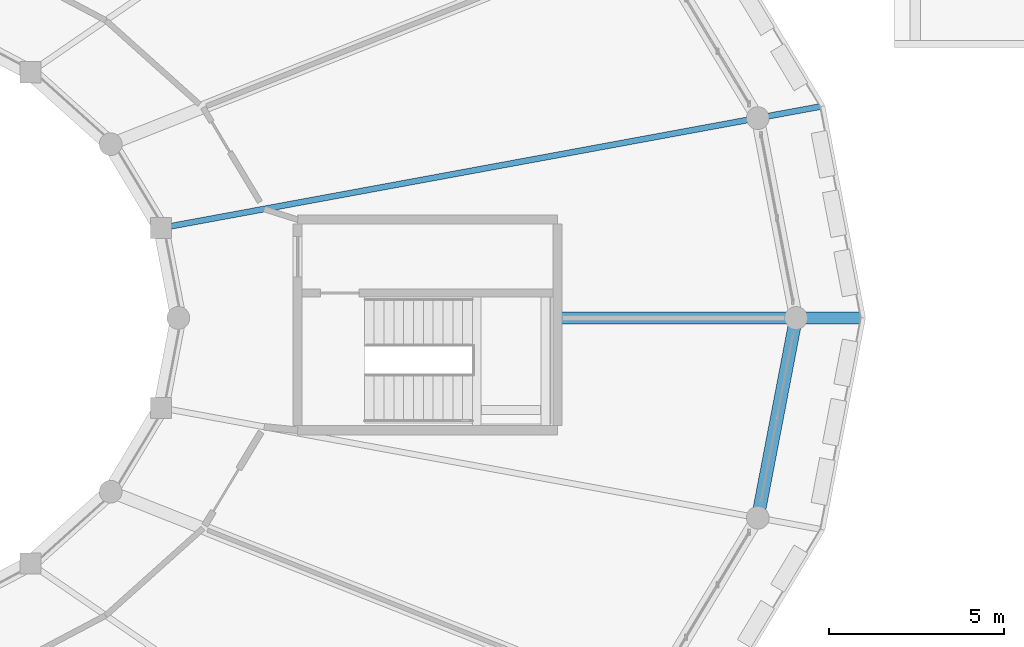
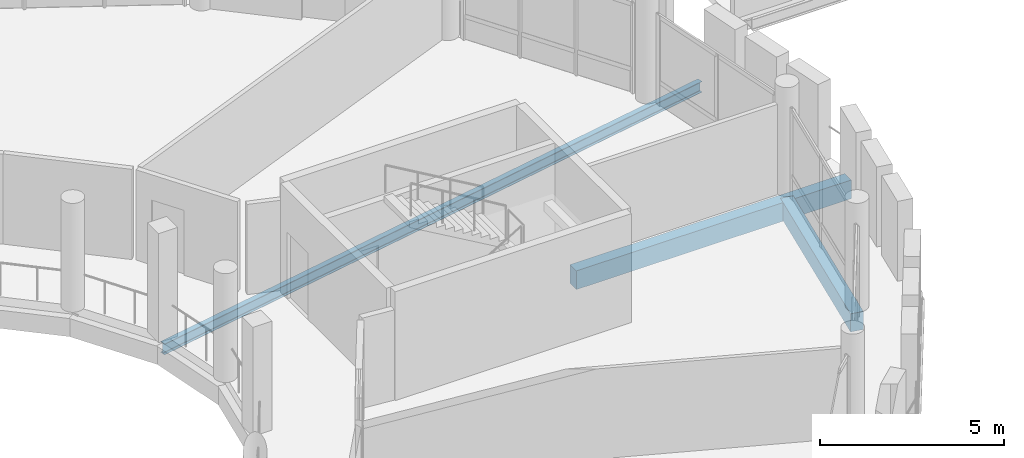
# One storey, part 34 of 93: 3 beams.
"""IFC4 building model written with IfcOpenShell, lengths in metres."""

from ifc_helpers import new_model, si_unit, direction, frame, origin, origin_2d, place, context, subcontext, project, spatial, rectangle, i_section, extrude, material, material_profile, profile_set, type_object, element, save


model = new_model("IFC4")

# Units and contexts
model_context = context("Model", 3, precision=1e-05, world=origin(), true_north=direction((0.0, 1.0)))
body_context = subcontext(model_context, "Body", "Model", "MODEL_VIEW")
ifc_project = project(units=[si_unit("LENGTHUNIT", "METRE"), si_unit("AREAUNIT", "SQUARE_METRE"), si_unit("VOLUMEUNIT", "CUBIC_METRE"), si_unit("PLANEANGLEUNIT", "RADIAN"), si_unit("MASSUNIT", "GRAM", prefix="KILO")], contexts=[model_context])

# Site, building, storey
site_placement = place(None, origin())
site = spatial("IfcSite", under=ifc_project, at=site_placement, CompositionType="ELEMENT")
building_placement = place(site_placement, origin())
building = spatial("IfcBuilding", under=site, at=building_placement, Name="Zornivar Specialist Clinic", CompositionType="ELEMENT")
storey_placement = place(building_placement, frame((0.0, 0.0, 8.39990234375)))
storey = spatial("IfcBuildingStorey", under=building, at=storey_placement, Name="L02", CompositionType="ELEMENT", Elevation=8.39990234375)

# Beams
ifc_material_1 = material(Name="Concrete C30/37", Category="concrete")
ifc_material_profile_1 = material_profile(ifc_material_1, rectangle(XDim=0.35009765625, YDim=0.6201171875, at=origin_2d()), Name="RC 350x620")
ifc_profile_set_1 = profile_set([ifc_material_profile_1], Name="Concrete C30/37")
beam_type_1 = type_object("IfcBeamType", Name="BM-RC-CANT-350x620", PredefinedType="BEAM", material=ifc_profile_set_1)
beam_1_placement = place(storey_placement, frame((118.89990234375, 57.60009765625, -0.5498046875), z_axis=(1.0, 0.0, 0.0), x_axis=(0.0, 1.0, 0.0)))
element("IfcBeam", 1, at=beam_1_placement, inside=storey, type_object=beam_type_1, Name="bm:V1:L02:radcant:00", PredefinedType="BEAM", context=body_context, shape_type="SweptSolid", body=[
    extrude(rectangle(XDim=0.35009765625, YDim=0.6201171875, at=origin_2d()), origin(), (0.0, 0.0, 1.0), 8.6201171875),
])
ifc_material_2 = material(Name="Concrete C30/37", Category="concrete")
ifc_material_profile_2 = material_profile(ifc_material_2, rectangle(XDim=0.3701171875, YDim=0.60009765625, at=origin_2d()), Name="RC 370x600")
ifc_profile_set_2 = profile_set([ifc_material_profile_2], Name="Concrete C30/37")
beam_type_2 = type_object("IfcBeamType", Name="BM-RC-SPANDREL-370x600", PredefinedType="SPANDREL", material=ifc_profile_set_2)
beam_2_placement = place(storey_placement, frame((124.510009765625, 51.906005859375, -0.539794921875), z_axis=(0.188027327263, 0.982163797033, 0.0), x_axis=(-0.982163797033, 0.188027327263, 0.0)))
element("IfcBeam", 2, at=beam_2_placement, inside=storey, type_object=beam_type_2, Name="bm:V1:L02:outring:23", PredefinedType="SPANDREL", context=body_context, shape_type="SweptSolid", body=[
    extrude(rectangle(XDim=0.3701171875, YDim=0.60009765625, at=origin_2d()), origin(), (0.0, 0.0, 1.0), 5.797607421875),
])
ifc_material_3 = material(Name="Steel S355J2", Category="steel")
ifc_material_profile_3 = material_profile(ifc_material_3, i_section(OverallWidth=0.169921875, OverallDepth=0.360107421875, WebThickness=0.008056640625, FlangeThickness=0.0126953125, FilletRadius=0.01806640625, at=origin_2d()), Name="IPE 360")
ifc_profile_set_3 = profile_set([ifc_material_profile_3], Name="Steel S355J2")
beam_type_3 = type_object("IfcBeamType", Name="BM-STL-IPE360", PredefinedType="BEAM", material=ifc_profile_set_3)
beam_3_placement = place(storey_placement, frame((107.509033203125, 60.162109375, -0.469970703125), z_axis=(0.983447695369, 0.18119224728, 0.0), x_axis=(-0.18119224728, 0.983447695369, 0.0)))
element("IfcBeam", 3, at=beam_3_placement, inside=storey, type_object=beam_type_3, Name="bm:V1:L02:radmid:01", PredefinedType="BEAM", context=body_context, shape_type="SweptSolid", body=[
    extrude(i_section(OverallWidth=0.169921875, OverallDepth=0.360107421875, WebThickness=0.008056640625, FlangeThickness=0.0126953125, FilletRadius=0.01806640625, at=origin_2d()), origin(), (0.0, 0.0, 1.0), 19.17236328125),
])

save(model, "model.ifc")
